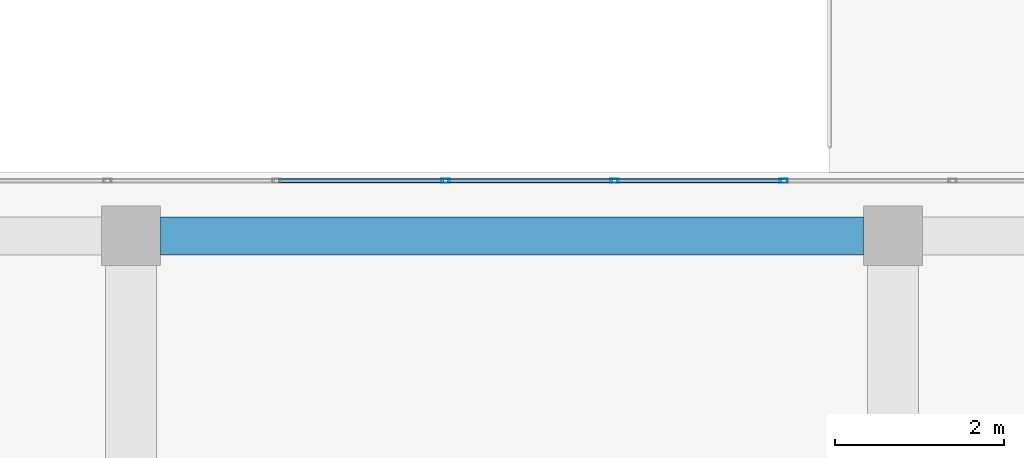
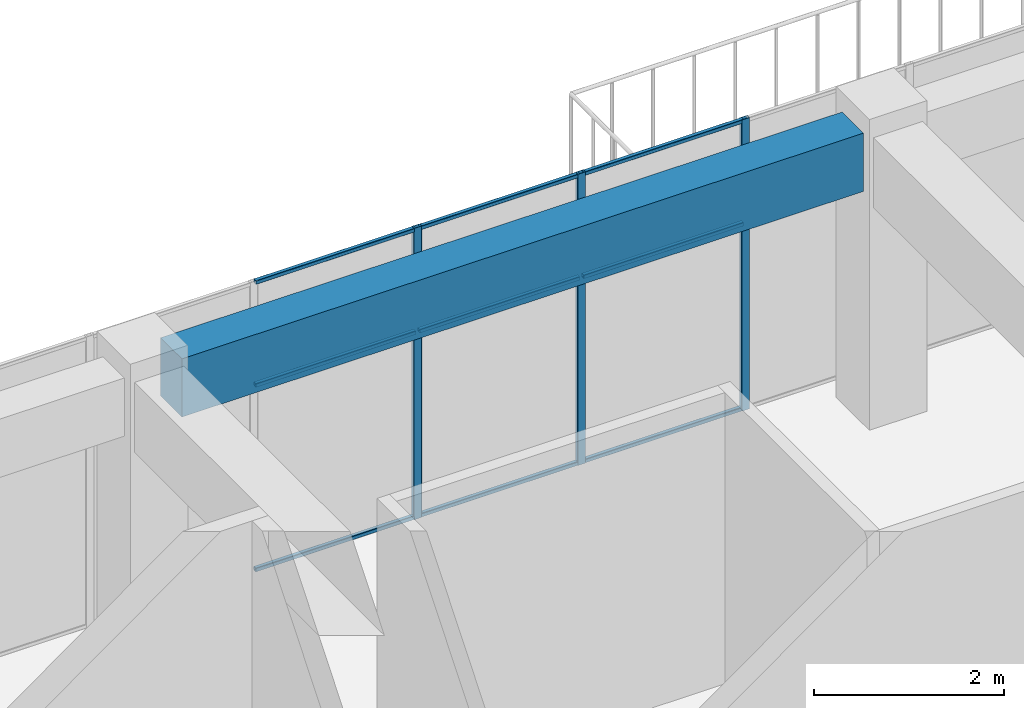
# One storey, part 32 of 49: 12 members, 1 beam, 1 element without a shape of its own.
"""IFC4 building model written with IfcOpenShell, lengths in metres."""

from ifc_helpers import new_model, si_unit, direction, frame, origin, origin_2d, place, context, subcontext, project, spatial, rectangle, hollow_rectangle, extrude, material, layer, layer_set, material_profile, profile_set, type_object, element, aggregate, save


model = new_model("IFC4")

# Units and contexts
model_context = context("Model", 3, precision=1e-05, world=origin(), true_north=direction((0.0, 1.0)))
body_context = subcontext(model_context, "Body", "Model", "MODEL_VIEW")
ifc_project = project(units=[si_unit("LENGTHUNIT", "METRE"), si_unit("AREAUNIT", "SQUARE_METRE"), si_unit("VOLUMEUNIT", "CUBIC_METRE"), si_unit("PLANEANGLEUNIT", "RADIAN"), si_unit("MASSUNIT", "GRAM", prefix="KILO")], contexts=[model_context])

# Site, building, storey
site_placement = place(None, origin())
site = spatial("IfcSite", under=ifc_project, at=site_placement, CompositionType="ELEMENT")
building_placement = place(site_placement, origin())
building = spatial("IfcBuilding", under=site, at=building_placement, Name="Tuart Plaza Theatre", CompositionType="ELEMENT")
storey_placement = place(building_placement, frame((0.0, 0.0, 29.5)))
storey = spatial("IfcBuildingStorey", under=building, at=storey_placement, Name="L07", CompositionType="ELEMENT", Elevation=29.5)

# Beam
ifc_material_1 = material(Name="Concrete N40 (40 MPa)", Category="concrete")
ifc_material_profile_1 = material_profile(ifc_material_1, rectangle(XDim=0.449951171875, YDim=0.75, at=origin_2d()), Name="BEAM 450x750 Concrete N40 (40 MPa)")
ifc_profile_set_1 = profile_set([ifc_material_profile_1], Name="Concrete N40 (40 MPa)")
beam_type = type_object("IfcBeamType", Name="BEAM 450x750 Concrete N40 (40 MPa)", PredefinedType="BEAM", material=ifc_profile_set_1)
beam_placement = place(storey_placement, frame((123.35009765625, 92.0, 3.375), z_axis=(1.0, 0.0, 0.0), x_axis=(0.0, 1.0, 0.0)))
element("IfcBeam", 1, at=beam_placement, inside=storey, type_object=beam_type, Name="RB267", PredefinedType="BEAM", context=body_context, shape_type="SweptSolid", body=[
    extrude(rectangle(XDim=0.449951171875, YDim=0.75, at=origin_2d()), origin(), (0.0, 0.0, 1.0), 8.2998046875),
])

# Curtain wall, members
ifc_material_2 = material(Name="Aluminium and glass", Category="aluminium")
ifc_layer = layer(ifc_material_2, 0.10009765625)
ifc_layer_set = layer_set([ifc_layer], Name="CURTAIN WALL 2000 module")
curtain_wall_type = type_object("IfcCurtainWallType", Name="CURTAIN WALL 2000 module", PredefinedType="NOTDEFINED", material=ifc_layer_set)
curtain_wall_placement = place(storey_placement, origin())
curtain_wall = element("IfcCurtainWall", 2, at=curtain_wall_placement, inside=storey, type_object=curtain_wall_type, Name="CW96", PredefinedType="NOTDEFINED")
ifc_material_3 = material(Name="Aluminium 6063-T5", Category="aluminium")
ifc_material_profile_2 = material_profile(ifc_material_3, hollow_rectangle(XDim=0.050048828125, YDim=0.10009765625, WallThickness=0.00390625, InnerFilletRadius=0.00390625, OuterFilletRadius=0.008056640625, at=origin_2d()), Name="RHS 100x50x4")
ifc_profile_set_2 = profile_set([ifc_material_profile_2], Name="Aluminium 6063-T5")
member_type_1 = type_object("IfcMemberType", Name="MULLION RHS 100x50x4", PredefinedType="MULLION", material=ifc_profile_set_2)
member_1_placement = place(storey_placement, frame((130.707763671875, 92.64990234375, 0.0), z_axis=(0.0, 0.0, 1.0), x_axis=(0.0, -1.0, 0.0)))
member_1 = element("IfcMember", 3, at=member_1_placement, type_object=member_type_1, Name="CW96 mullion 3", PredefinedType="MULLION", context=body_context, shape_type="SweptSolid", body=[
    extrude(hollow_rectangle(XDim=0.050048828125, YDim=0.10009765625, WallThickness=0.00390625, InnerFilletRadius=0.00390625, OuterFilletRadius=0.008056640625, at=origin_2d()), origin(), (0.0, 0.0, 1.0), 3.75),
])
member_2_placement = place(storey_placement, frame((128.71142578125, 92.64990234375, 0.0), z_axis=(0.0, 0.0, 1.0), x_axis=(0.0, -1.0, 0.0)))
member_2 = element("IfcMember", 4, at=member_2_placement, type_object=member_type_1, Name="CW96 mullion 4", PredefinedType="MULLION", context=body_context, shape_type="SweptSolid", body=[
    extrude(hollow_rectangle(XDim=0.050048828125, YDim=0.10009765625, WallThickness=0.00390625, InnerFilletRadius=0.00390625, OuterFilletRadius=0.008056640625, at=origin_2d()), origin(), (0.0, 0.0, 1.0), 3.75),
])
member_3_placement = place(storey_placement, frame((126.71533203125, 92.64990234375, 0.0), z_axis=(0.0, 0.0, 1.0), x_axis=(0.0, -1.0, 0.0)))
member_3 = element("IfcMember", 5, at=member_3_placement, type_object=member_type_1, Name="CW96 mullion 5", PredefinedType="MULLION", context=body_context, shape_type="SweptSolid", body=[
    extrude(hollow_rectangle(XDim=0.050048828125, YDim=0.10009765625, WallThickness=0.00390625, InnerFilletRadius=0.00390625, OuterFilletRadius=0.008056640625, at=origin_2d()), origin(), (0.0, 0.0, 1.0), 3.75),
])
ifc_material_4 = material(Name="Aluminium 6063-T5", Category="aluminium")
ifc_material_profile_3 = material_profile(ifc_material_4, hollow_rectangle(XDim=0.050048828125, YDim=0.050048828125, WallThickness=0.00390625, InnerFilletRadius=0.00390625, OuterFilletRadius=0.008056640625, at=origin_2d()), Name="RHS 50x50x4")
ifc_profile_set_3 = profile_set([ifc_material_profile_3], Name="Aluminium 6063-T5")
member_type_2 = type_object("IfcMemberType", Name="TRANSOM RHS 50x50x4", PredefinedType="USERDEFINED", material=ifc_profile_set_3)
member_4_placement = place(storey_placement, frame((130.6826171875, 92.64990234375, 0.02490234375), z_axis=(-1.0, 0.0, 0.0), x_axis=(0.0, -1.0, 0.0)))
member_4 = element("IfcMember", 6, at=member_4_placement, type_object=member_type_2, Name="CW96 transom 3.1", ObjectType="TRANSOM", PredefinedType="USERDEFINED", context=body_context, shape_type="SweptSolid", body=[
    extrude(hollow_rectangle(XDim=0.050048828125, YDim=0.050048828125, WallThickness=0.00390625, InnerFilletRadius=0.00390625, OuterFilletRadius=0.008056640625, at=origin_2d()), origin(), (0.0, 0.0, 1.0), 1.946044921875),
])
member_5_placement = place(storey_placement, frame((130.6826171875, 92.64990234375, 2.39990234375), z_axis=(-1.0, 0.0, 0.0), x_axis=(0.0, -1.0, 0.0)))
member_5 = element("IfcMember", 7, at=member_5_placement, type_object=member_type_2, Name="CW96 transom 3.2", ObjectType="TRANSOM", PredefinedType="USERDEFINED", context=body_context, shape_type="SweptSolid", body=[
    extrude(hollow_rectangle(XDim=0.050048828125, YDim=0.050048828125, WallThickness=0.00390625, InnerFilletRadius=0.00390625, OuterFilletRadius=0.008056640625, at=origin_2d()), origin(), (0.0, 0.0, 1.0), 1.946044921875),
])
member_6_placement = place(storey_placement, frame((130.6826171875, 92.64990234375, 3.72509765625), z_axis=(-1.0, 0.0, 0.0), x_axis=(0.0, -1.0, 0.0)))
member_6 = element("IfcMember", 8, at=member_6_placement, type_object=member_type_2, Name="CW96 transom 3.3", ObjectType="TRANSOM", PredefinedType="USERDEFINED", context=body_context, shape_type="SweptSolid", body=[
    extrude(hollow_rectangle(XDim=0.050048828125, YDim=0.050048828125, WallThickness=0.00390625, InnerFilletRadius=0.00390625, OuterFilletRadius=0.008056640625, at=origin_2d()), origin(), (0.0, 0.0, 1.0), 1.946044921875),
])
member_7_placement = place(storey_placement, frame((128.6865234375, 92.64990234375, 0.02490234375), z_axis=(-1.0, 0.0, 0.0), x_axis=(0.0, -1.0, 0.0)))
member_7 = element("IfcMember", 9, at=member_7_placement, type_object=member_type_2, Name="CW96 transom 4.1", ObjectType="TRANSOM", PredefinedType="USERDEFINED", context=body_context, shape_type="SweptSolid", body=[
    extrude(hollow_rectangle(XDim=0.050048828125, YDim=0.050048828125, WallThickness=0.00390625, InnerFilletRadius=0.00390625, OuterFilletRadius=0.008056640625, at=origin_2d()), origin(), (0.0, 0.0, 1.0), 1.946044921875),
])
member_8_placement = place(storey_placement, frame((128.6865234375, 92.64990234375, 2.39990234375), z_axis=(-1.0, 0.0, 0.0), x_axis=(0.0, -1.0, 0.0)))
member_8 = element("IfcMember", 10, at=member_8_placement, type_object=member_type_2, Name="CW96 transom 4.2", ObjectType="TRANSOM", PredefinedType="USERDEFINED", context=body_context, shape_type="SweptSolid", body=[
    extrude(hollow_rectangle(XDim=0.050048828125, YDim=0.050048828125, WallThickness=0.00390625, InnerFilletRadius=0.00390625, OuterFilletRadius=0.008056640625, at=origin_2d()), origin(), (0.0, 0.0, 1.0), 1.946044921875),
])
member_9_placement = place(storey_placement, frame((128.6865234375, 92.64990234375, 3.72509765625), z_axis=(-1.0, 0.0, 0.0), x_axis=(0.0, -1.0, 0.0)))
member_9 = element("IfcMember", 11, at=member_9_placement, type_object=member_type_2, Name="CW96 transom 4.3", ObjectType="TRANSOM", PredefinedType="USERDEFINED", context=body_context, shape_type="SweptSolid", body=[
    extrude(hollow_rectangle(XDim=0.050048828125, YDim=0.050048828125, WallThickness=0.00390625, InnerFilletRadius=0.00390625, OuterFilletRadius=0.008056640625, at=origin_2d()), origin(), (0.0, 0.0, 1.0), 1.946044921875),
])
member_10_placement = place(storey_placement, frame((126.6904296875, 92.64990234375, 0.02490234375), z_axis=(-1.0, 0.0, 0.0), x_axis=(0.0, -1.0, 0.0)))
member_10 = element("IfcMember", 12, at=member_10_placement, type_object=member_type_2, Name="CW96 transom 5.1", ObjectType="TRANSOM", PredefinedType="USERDEFINED", context=body_context, shape_type="SweptSolid", body=[
    extrude(hollow_rectangle(XDim=0.050048828125, YDim=0.050048828125, WallThickness=0.00390625, InnerFilletRadius=0.00390625, OuterFilletRadius=0.008056640625, at=origin_2d()), origin(), (0.0, 0.0, 1.0), 1.9462890625),
])
member_11_placement = place(storey_placement, frame((126.6904296875, 92.64990234375, 2.39990234375), z_axis=(-1.0, 0.0, 0.0), x_axis=(0.0, -1.0, 0.0)))
member_11 = element("IfcMember", 13, at=member_11_placement, type_object=member_type_2, Name="CW96 transom 5.2", ObjectType="TRANSOM", PredefinedType="USERDEFINED", context=body_context, shape_type="SweptSolid", body=[
    extrude(hollow_rectangle(XDim=0.050048828125, YDim=0.050048828125, WallThickness=0.00390625, InnerFilletRadius=0.00390625, OuterFilletRadius=0.008056640625, at=origin_2d()), origin(), (0.0, 0.0, 1.0), 1.9462890625),
])
member_12_placement = place(storey_placement, frame((126.6904296875, 92.64990234375, 3.72509765625), z_axis=(-1.0, 0.0, 0.0), x_axis=(0.0, -1.0, 0.0)))
member_12 = element("IfcMember", 14, at=member_12_placement, type_object=member_type_2, Name="CW96 transom 5.3", ObjectType="TRANSOM", PredefinedType="USERDEFINED", context=body_context, shape_type="SweptSolid", body=[
    extrude(hollow_rectangle(XDim=0.050048828125, YDim=0.050048828125, WallThickness=0.00390625, InnerFilletRadius=0.00390625, OuterFilletRadius=0.008056640625, at=origin_2d()), origin(), (0.0, 0.0, 1.0), 1.9462890625),
])
aggregate(curtain_wall, [member_1, member_2, member_3, member_4, member_5, member_6, member_7, member_8, member_9, member_10, member_11, member_12])

save(model, "model.ifc")
